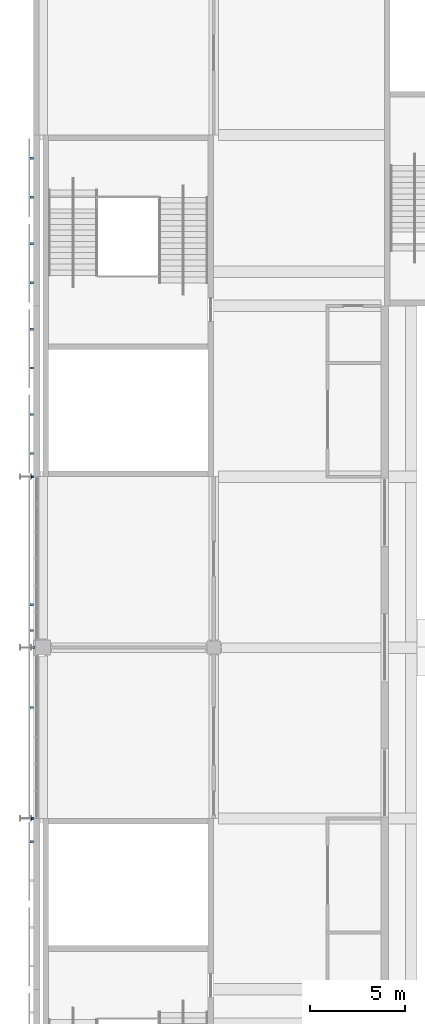
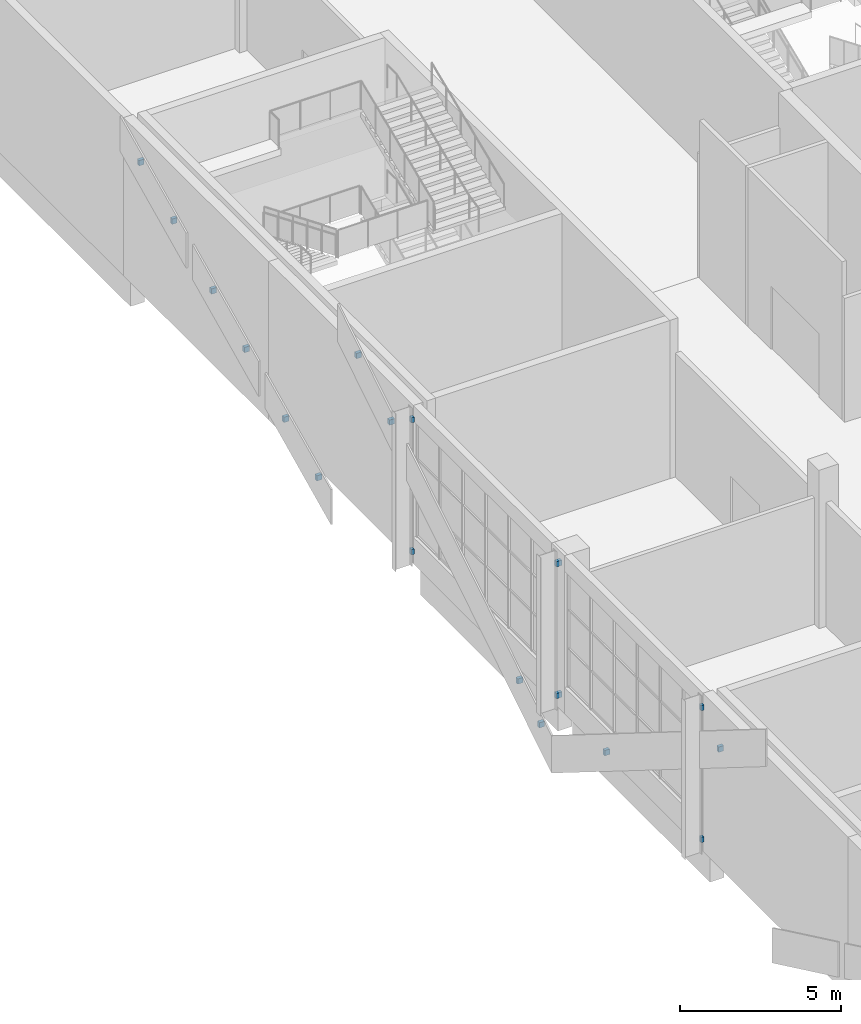
# One storey, part 58 of 89: 18 discrete accessories.
"""IFC4 building model written with IfcOpenShell, lengths in metres."""

from ifc_helpers import new_model, si_unit, direction, frame, origin, origin_2d, place, context, subcontext, project, spatial, rectangle, extrude, material, type_object, element, save


model = new_model("IFC4")

# Units and contexts
model_context = context("Model", 3, precision=1e-05, world=origin(), true_north=direction((0.0, 1.0)))
body_context = subcontext(model_context, "Body", "Model", "MODEL_VIEW")
ifc_project = project(units=[si_unit("LENGTHUNIT", "METRE"), si_unit("AREAUNIT", "SQUARE_METRE"), si_unit("VOLUMEUNIT", "CUBIC_METRE"), si_unit("PLANEANGLEUNIT", "RADIAN"), si_unit("MASSUNIT", "GRAM", prefix="KILO")], contexts=[model_context])

# Site, building, storey
site_placement = place(None, origin())
site = spatial("IfcSite", under=ifc_project, at=site_placement, CompositionType="ELEMENT")
building_placement = place(site_placement, origin())
building = spatial("IfcBuilding", under=site, at=building_placement, Name="Silverbay Arena", CompositionType="ELEMENT")
storey_placement = place(building_placement, frame((0.0, 0.0, 22.0)))
storey = spatial("IfcBuildingStorey", under=building, at=storey_placement, Name="L03", CompositionType="ELEMENT", Elevation=22.0)

# Discrete accessories
ifc_material = material(Name="Steel S355", Category="steel")
discrete_accessory_type = type_object("IfcDiscreteAccessoryType", Name="Steel bracket plate", PredefinedType="BRACKET", material=ifc_material)
for number, where, z_axis, x_axis, name in (
    (1, (53.449951171875, 72.0, 0.39990234375), (0.0, 0.0, 1.0), (1.0, 0.0, 0.0), "Fin bracket"),
    (2, (53.449951171875, 72.0, 5.39990234375), (0.0, 0.0, 1.0), (1.0, 0.0, 0.0), "Fin bracket"),
):
    element("IfcDiscreteAccessory", number, at=place(storey_placement, frame(where, z_axis=z_axis, x_axis=x_axis)), inside=storey, type_object=discrete_accessory_type, Name=name, PredefinedType="BRACKET", context=body_context, shape_type="SweptSolid", body=[
        extrude(rectangle(XDim=0.10009765625, YDim=0.1201171875, at=origin_2d()), origin(), (0.0, 0.0, 1.0), 0.199951171875),
    ])
for number, where, z_axis, x_axis, name in (
    (3, (53.5, 81.0, 0.39990234375), (0.0, 0.0, 1.0), (1.0, 0.0, 0.0), "Fin bracket"),
    (4, (53.5, 81.0, 5.39990234375), (0.0, 0.0, 1.0), (1.0, 0.0, 0.0), "Fin bracket"),
):
    element("IfcDiscreteAccessory", number, at=place(storey_placement, frame(where, z_axis=z_axis, x_axis=x_axis)), inside=storey, type_object=discrete_accessory_type, Name=name, PredefinedType="BRACKET", context=body_context, shape_type="SweptSolid", body=[
        extrude(rectangle(XDim=0.199951171875, YDim=0.1201171875, at=origin_2d()), origin(), (0.0, 0.0, 1.0), 0.199951171875),
    ])
for number, where, z_axis, x_axis, name in (
    (5, (53.449951171875, 90.0, 0.39990234375), (0.0, 0.0, 1.0), (1.0, 0.0, 0.0), "Fin bracket"),
    (6, (53.449951171875, 90.0, 5.39990234375), (0.0, 0.0, 1.0), (1.0, 0.0, 0.0), "Fin bracket"),
):
    element("IfcDiscreteAccessory", number, at=place(storey_placement, frame(where, z_axis=z_axis, x_axis=x_axis)), inside=storey, type_object=discrete_accessory_type, Name=name, PredefinedType="BRACKET", context=body_context, shape_type="SweptSolid", body=[
        extrude(rectangle(XDim=0.10009765625, YDim=0.1201171875, at=origin_2d()), origin(), (0.0, 0.0, 1.0), 0.199951171875),
    ])
for number, where, z_axis, x_axis, name in (
    (7, (53.409912109375, 95.72509765625, -0.2412109375), (0.0, 0.0, 1.0), (1.0, 0.0, 0.0), "Band bracket"),
    (8, (53.409912109375, 97.77490234375, 0.732421875), (0.0, 0.0, 1.0), (1.0, 0.0, 0.0), "Band bracket"),
    (9, (53.409912109375, 100.22509765625, 1.89599609375), (0.0, 0.0, 1.0), (1.0, 0.0, 0.0), "Band bracket"),
    (10, (53.409912109375, 102.27490234375, 2.8701171875), (0.0, 0.0, 1.0), (1.0, 0.0, 0.0), "Band bracket"),
    (11, (53.409912109375, 104.72509765625, 4.03369140625), (0.0, 0.0, 1.0), (1.0, 0.0, 0.0), "Band bracket"),
    (12, (53.409912109375, 106.77490234375, 5.00732421875), (0.0, 0.0, 1.0), (1.0, 0.0, 0.0), "Band bracket"),
    (13, (53.409912109375, 70.77490234375, 4.59814453125), (0.0, 0.0, 1.0), (1.0, 0.0, 0.0), "Band bracket"),
    (14, (53.409912109375, 77.848388671875, 0.17724609375), (0.0, 0.0, 1.0), (1.0, 0.0, 0.0), "Band bracket"),
    (15, (53.409912109375, 83.252685546875, -0.384765625), (0.0, 0.0, 1.0), (1.0, 0.0, 0.0), "Band bracket"),
    (16, (53.409912109375, 81.904296875, -1.22705078125), (0.0, 0.0, 1.0), (1.0, 0.0, 0.0), "Band bracket"),
    (17, (53.409912109375, 91.22509765625, 4.59814453125), (0.0, 0.0, 1.0), (1.0, 0.0, 0.0), "Band bracket"),
    (18, (53.409912109375, 93.27490234375, 5.87939453125), (0.0, 0.0, 1.0), (1.0, 0.0, 0.0), "Band bracket"),
):
    element("IfcDiscreteAccessory", number, at=place(storey_placement, frame(where, z_axis=z_axis, x_axis=x_axis)), inside=storey, type_object=discrete_accessory_type, Name=name, PredefinedType="BRACKET", context=body_context, shape_type="SweptSolid", body=[
        extrude(rectangle(XDim=0.179931640625, YDim=0.1201171875, at=origin_2d()), origin(), (0.0, 0.0, 1.0), 0.199951171875),
    ])

save(model, "model.ifc")
